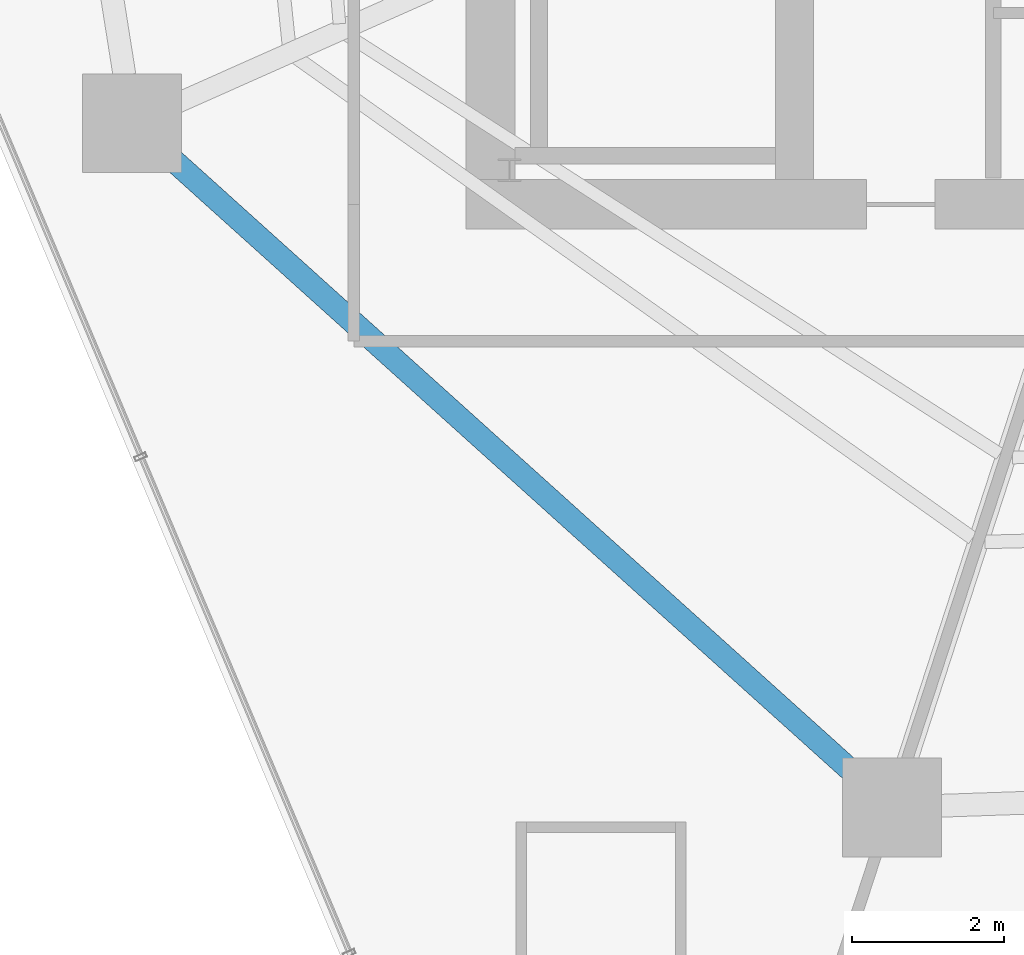
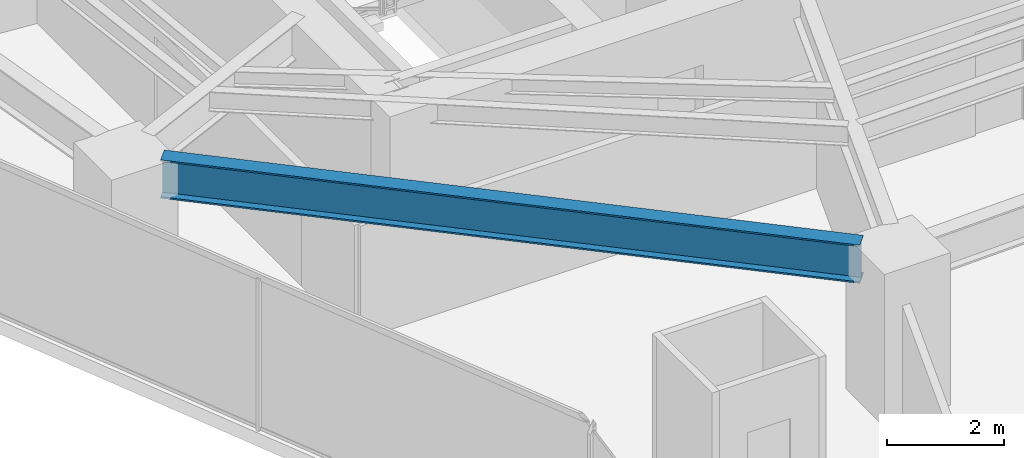
# One storey, part 4 of 30: 1 beam.
"""IFC4 building model written with IfcOpenShell, lengths in metres."""

from ifc_helpers import new_model, si_unit, direction, frame, origin, origin_2d, place, context, subcontext, project, spatial, i_section, extrude, material, material_profile, profile_set, type_object, element, save


model = new_model("IFC4")

# Units and contexts
model_context = context("Model", 3, precision=1e-05, world=origin(), true_north=direction((0.0, 1.0)))
body_context = subcontext(model_context, "Body", "Model", "MODEL_VIEW")
ifc_project = project(units=[si_unit("LENGTHUNIT", "METRE"), si_unit("AREAUNIT", "SQUARE_METRE"), si_unit("VOLUMEUNIT", "CUBIC_METRE"), si_unit("PLANEANGLEUNIT", "RADIAN"), si_unit("MASSUNIT", "GRAM", prefix="KILO")], contexts=[model_context])

# Site, building, storey
site_placement = place(None, origin())
site = spatial("IfcSite", under=ifc_project, at=site_placement, CompositionType="ELEMENT")
building_placement = place(site_placement, origin())
building = spatial("IfcBuilding", under=site, at=building_placement, Name="Qarnah Convention Tower", CompositionType="ELEMENT")
storey_placement = place(building_placement, frame((0.0, 0.0, 40.800048828125)))
storey = spatial("IfcBuildingStorey", under=building, at=storey_placement, Name="L09", CompositionType="ELEMENT", Elevation=40.800048828125)

# Beam
ifc_material = material(Name="Structural steel S355JR", Category="steel")
ifc_material_profile = material_profile(ifc_material, i_section(OverallWidth=0.300048828125, OverallDepth=0.800048828125, WebThickness=0.01806640625, FlangeThickness=0.032958984375, at=origin_2d()), Name="HEB800")
ifc_profile_set = profile_set([ifc_material_profile], Name="Structural steel S355JR")
beam_type = type_object("IfcBeamType", Name="BM-RING-HEB800", PredefinedType="BEAM", material=ifc_profile_set)
beam_placement = place(storey_placement, frame((22.556884765625, 19.240966796875, 2.77001953125), z_axis=(0.743082870291, -0.669199408159, 0.0), x_axis=(0.669199408159, 0.743082870291, 0.0)))
element("IfcBeam", 1, at=beam_placement, inside=storey, type_object=beam_type, Name="L09 beam BM-L09-SPN-06", PredefinedType="BEAM", context=body_context, shape_type="SweptSolid", body=[
    extrude(i_section(OverallWidth=0.300048828125, OverallDepth=0.800048828125, WebThickness=0.01806640625, FlangeThickness=0.032958984375, at=origin_2d()), origin(), (0.0, 0.0, 1.0), 12.183349609375),
])

save(model, "model.ifc")
